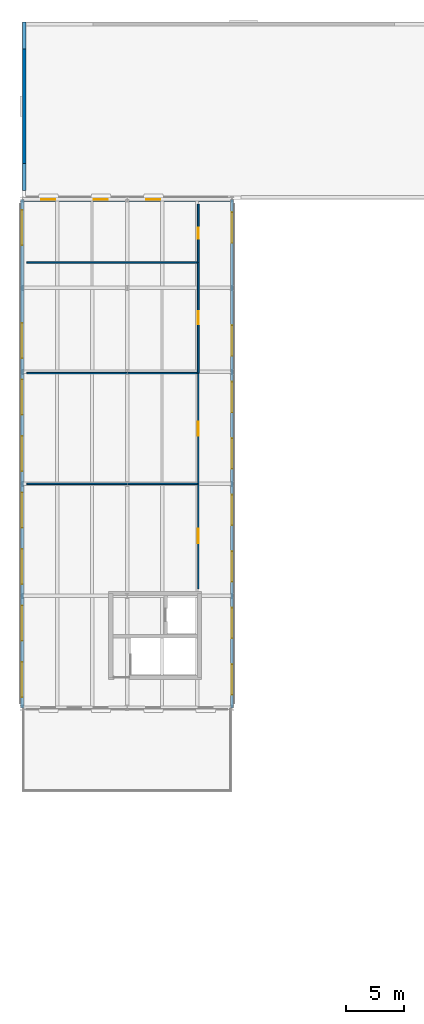
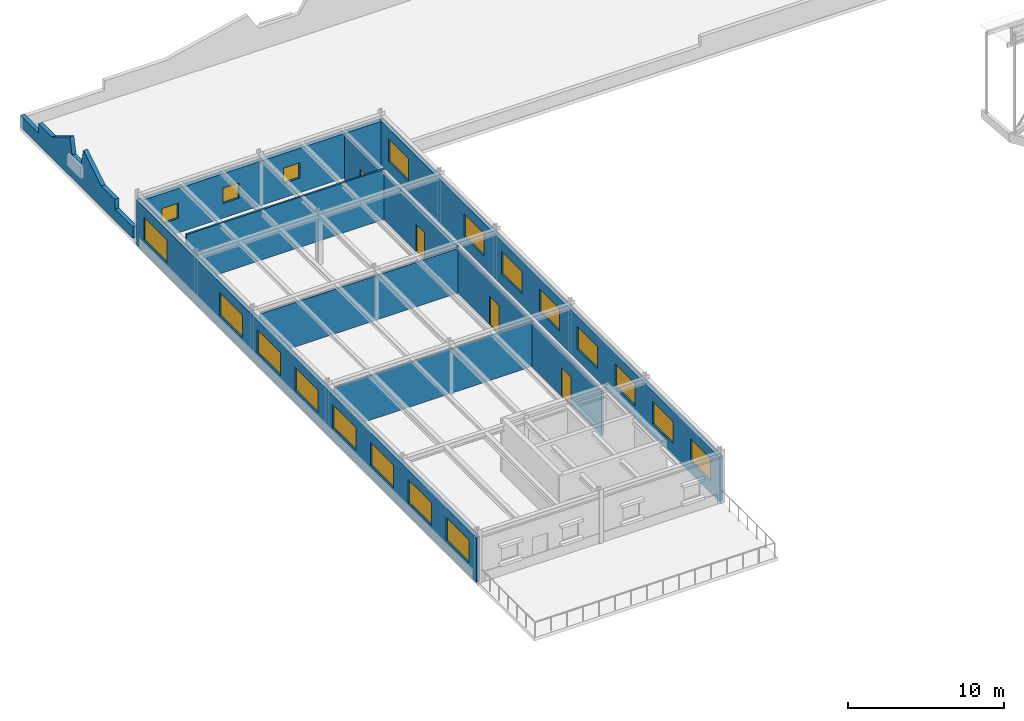
# One storey, part 55 of 69: 19 windows, 11 walls, 4 doors, 23 openings.
"""IFC4 building model written with IfcOpenShell, lengths in metres."""

import ifcopenshell
import ifcopenshell.guid

model = None  # the IFC model being written
_history = None  # IfcOwnerHistory: only IFC2X3 demands one
_inside = {}  # id of a spatial element -> (the spatial element, [elements in it])
_under = {}  # id of a project, library or spatial element -> (it, [spatial elements below it])
_declared = {}  # id of a project -> (the project, [libraries it declares])
_typed = {}  # id of a type object -> (the type object, [elements of that type])
_made_of = {}  # id of a material, layer set ... -> (it, [elements and type objects made of it])


def new_model(schema):
    """Start an empty IFC model of exactly this schema.

    Asked for "IFC4X3", IfcOpenShell would pick the latest addendum, in which some entities
    have other attributes; the version numbers below select the first issue.
    IFC2X3 requires an IfcOwnerHistory on every rooted entity: one is made here for all.
    """
    global model, _history
    if schema == "IFC4X3":
        model = ifcopenshell.file(schema_version=(4, 3, 0, 0))
    else:
        model = ifcopenshell.file(schema=schema)
    _inside.clear()
    _under.clear()
    _declared.clear()
    _typed.clear()
    _made_of.clear()
    _history = None
    if model.schema == "IFC2X3":
        org = make("IfcOrganization", Name="unknown")
        user = make(
            "IfcPersonAndOrganization",
            ThePerson=make("IfcPerson", FamilyName="unknown"),
            TheOrganization=org,
        )
        app = make(
            "IfcApplication",
            ApplicationDeveloper=org,
            Version="unknown",
            ApplicationFullName="unknown",
            ApplicationIdentifier="unknown",
        )
        _history = make(
            "IfcOwnerHistory",
            OwningUser=user,
            OwningApplication=app,
            ChangeAction="ADDED",
            CreationDate=0,
        )
    return model


def make(cls, **values):
    """One entity of the class cls with the attributes given. An attribute that is None is left unset."""
    return model.create_entity(
        cls, **{name: value for name, value in values.items() if value is not None}
    )


def rooted(cls, **values):
    """An entity with a GlobalId (a new one), such as an element, a storey or a relation."""
    return make(cls, GlobalId=ifcopenshell.guid.new(), OwnerHistory=_history, **values)


def si_unit(unit_type, name, prefix=None):
    """IfcSIUnit, for example si_unit("LENGTHUNIT", "METRE", prefix="MILLI")."""
    return make("IfcSIUnit", UnitType=unit_type, Prefix=prefix, Name=name)


def assignment(units):
    """IfcUnitAssignment: the units of a project."""
    return None if units is None else make("IfcUnitAssignment", Units=units)


def point(xyz):
    """IfcCartesianPoint."""
    return None if xyz is None else make("IfcCartesianPoint", Coordinates=xyz)


def direction(xyz):
    """IfcDirection."""
    return None if xyz is None else make("IfcDirection", DirectionRatios=xyz)


def frame(location, z_axis=None, x_axis=None):
    """IfcAxis2Placement3D, a coordinate frame: its origin and axes. An axis left out is left unset."""
    return make(
        "IfcAxis2Placement3D",
        Location=point(location),
        Axis=direction(z_axis),
        RefDirection=direction(x_axis),
    )


def frame_2d(location, x_axis=None):
    """IfcAxis2Placement2D, a coordinate frame in the plane: its origin and x axis."""
    return make(
        "IfcAxis2Placement2D", Location=point(location), RefDirection=direction(x_axis)
    )


def origin():
    """The frame at (0, 0, 0) with its axes left unset."""
    return frame((0.0, 0.0, 0.0))


def place(relative_to, where):
    """IfcLocalPlacement: puts the frame where relative to a parent placement (None: the world)."""
    return make(
        "IfcLocalPlacement", PlacementRelTo=relative_to, RelativePlacement=where
    )


def context(
    kind, dimensions, precision=None, world=None, true_north=None, identifier=None
):
    """IfcGeometricRepresentationContext, for example the 3D "Model" context."""
    return make(
        "IfcGeometricRepresentationContext",
        ContextIdentifier=identifier,
        ContextType=kind,
        CoordinateSpaceDimension=dimensions,
        Precision=precision,
        WorldCoordinateSystem=world,
        TrueNorth=true_north,
    )


def subcontext(parent, identifier, kind, view, scale=None):
    """IfcGeometricRepresentationSubContext, for example "Body" below "Model"."""
    return make(
        "IfcGeometricRepresentationSubContext",
        ContextIdentifier=identifier,
        ContextType=kind,
        ParentContext=parent,
        TargetScale=scale,
        TargetView=view,
    )


def project(units=None, contexts=None):
    """IfcProject with its units and contexts."""
    return rooted(
        "IfcProject",
        Name="project",
        RepresentationContexts=contexts,
        UnitsInContext=assignment(units),
    )


def spatial(cls, under=None, at=None, **own):
    """A site, building, storey or space (cls), placed at a placement, below another one or the project."""
    s = rooted(cls, ObjectPlacement=at, **own)
    if under is not None:
        _under.setdefault(under.id(), (under, []))[1].append(s)
    return s


def polyline(points):
    """IfcPolyline through the points."""
    return make("IfcPolyline", Points=[point(p) for p in points])


def profile(cls, at=None, kind="AREA", **sizes):
    """A parametric profile (cls). Its sizes go by their IFC names, for example OverallWidth=200.0."""
    return make(cls, ProfileType=kind, Position=at, **sizes)


def rectangle(**sizes):
    """IfcRectangleProfileDef."""
    return profile("IfcRectangleProfileDef", **sizes)


def outline(outer, holes=None, kind="AREA"):
    """IfcArbitraryClosedProfileDef: a profile drawn as a closed curve; with holes, ...WithVoids."""
    if holes is None:
        return make("IfcArbitraryClosedProfileDef", ProfileType=kind, OuterCurve=outer)
    return make(
        "IfcArbitraryProfileDefWithVoids",
        ProfileType=kind,
        OuterCurve=outer,
        InnerCurves=holes,
    )


def extrude(swept, where, along, depth):
    """IfcExtrudedAreaSolid: the profile swept, set in the frame where, extruded along a direction by depth."""
    return make(
        "IfcExtrudedAreaSolid",
        SweptArea=swept,
        Position=where,
        ExtrudedDirection=direction(along),
        Depth=depth,
    )


def shape(context_of_items, identifier, shape_type, items):
    """IfcShapeRepresentation: the items that make up one representation, for example the "Body"."""
    return make(
        "IfcShapeRepresentation",
        ContextOfItems=context_of_items,
        RepresentationIdentifier=identifier,
        RepresentationType=shape_type,
        Items=items,
    )


def material(Name=None, Category=None):
    """IfcMaterial."""
    return make("IfcMaterial", Name=Name, Category=Category)


def layer(
    of_material, thickness, ventilated=None, Name=None, Category=None, Priority=None
):
    """IfcMaterialLayer: one layer of a wall or slab, of a material (None: an air gap)."""
    return make(
        "IfcMaterialLayer",
        Material=of_material,
        LayerThickness=thickness,
        IsVentilated=ventilated,
        Name=Name,
        Category=Category,
        Priority=Priority,
    )


def layer_set(layers, Name=None):
    """IfcMaterialLayerSet."""
    return make("IfcMaterialLayerSet", MaterialLayers=layers, LayerSetName=Name)


def made_of(thing, what):
    """Note that an element or type object is made of a material, layer set ...; save() writes the relation."""
    if what is not None:
        _made_of.setdefault(what.id(), (what, []))[1].append(thing)
    return thing


def type_object(cls, material=None, **own):
    """A type object (cls), such as IfcWallType, which elements share."""
    return made_of(rooted(cls, **own), material)


def element(
    cls,
    number,
    at=None,
    inside=None,
    cuts=None,
    type_object=None,
    material=None,
    context=None,
    identifier="Body",
    shape_type=None,
    held_by="IfcProductDefinitionShape",
    body=None,
    shapes=None,
    **own,
):
    """One element of the class cls, such as IfcWall. Its Tag is "e" and its number.

    at: its placement. inside: the storey or other place that contains it. cuts: it is an
    opening in that element (IfcRelVoidsElement). A single representation is given by context,
    identifier, shape_type and body (its items); several are given by shapes. held_by: the class
    of the entity that holds the representations. save() writes the other relations.
    """
    e = rooted(cls, Tag="e%d" % number, ObjectPlacement=at, **own)
    if body is not None:
        shapes = [shape(context, identifier, shape_type, body)]
    if shapes is not None:
        e.Representation = make(held_by, Representations=shapes)
    if inside is not None:
        _inside.setdefault(inside.id(), (inside, []))[1].append(e)
    if cuts is not None:
        rooted(
            "IfcRelVoidsElement", RelatingBuildingElement=cuts, RelatedOpeningElement=e
        )
    if type_object is not None:
        _typed.setdefault(type_object.id(), (type_object, []))[1].append(e)
    return made_of(e, material)


def fill(opening, filler):
    """IfcRelFillsElement: the door or window that sits in an opening."""
    return rooted(
        "IfcRelFillsElement",
        RelatingOpeningElement=opening,
        RelatedBuildingElement=filler,
    )


def aggregate(whole, parts):
    """IfcRelAggregates: a whole, such as a stair, and the parts it consists of."""
    return rooted("IfcRelAggregates", RelatingObject=whole, RelatedObjects=parts)


def save(model, path):
    """Write the relations noted so far, then the file.

    IfcRelAggregates (storeys below a building ...), IfcRelContainedInSpatialStructure (elements
    in a storey), IfcRelDefinesByType, IfcRelAssociatesMaterial and IfcRelDeclares: one each for
    every whole, place, type object, material and project.
    """
    for whole, parts in _under.values():
        aggregate(whole, parts)
    for where, things in _inside.values():
        rooted(
            "IfcRelContainedInSpatialStructure",
            RelatedElements=things,
            RelatingStructure=where,
        )
    for kind, things in _typed.values():
        rooted("IfcRelDefinesByType", RelatedObjects=things, RelatingType=kind)
    for what, things in _made_of.values():
        rooted("IfcRelAssociatesMaterial", RelatedObjects=things, RelatingMaterial=what)
    for by, libraries in _declared.values():
        rooted("IfcRelDeclares", RelatingContext=by, RelatedDefinitions=libraries)
    model.write(path)


model = new_model("IFC4")

# Units and contexts
model_context = context("Model", 3, precision=1e-05, world=origin(), true_north=direction((0.0, 1.0)))
body_context = subcontext(model_context, "Body", "Model", "MODEL_VIEW")
ifc_project = project(units=[si_unit("LENGTHUNIT", "METRE"), si_unit("AREAUNIT", "SQUARE_METRE"), si_unit("VOLUMEUNIT", "CUBIC_METRE"), si_unit("PLANEANGLEUNIT", "RADIAN"), si_unit("MASSUNIT", "GRAM", prefix="KILO")], contexts=[model_context])

# Site, building, storey
site_placement = place(None, origin())
site = spatial("IfcSite", under=ifc_project, at=site_placement, CompositionType="ELEMENT")
building_placement = place(site_placement, origin())
building = spatial("IfcBuilding", under=site, at=building_placement, Name="Montealbar Specialist Clinic", CompositionType="ELEMENT")
storey_placement = place(building_placement, frame((0.0, 0.0, 9.60009765625)))
storey = spatial("IfcBuildingStorey", under=building, at=storey_placement, Name="L02", CompositionType="ELEMENT", Elevation=9.60009765625)

# Wall, openings, windows
ifc_material_1 = material(Name="Guadarrama granite ashlar", Category="masonry")
ifc_layer_1 = layer(ifc_material_1, 0.35009765625, Name="Guadarrama granite ashlar", Category="masonry")
ifc_layer_set_1 = layer_set([ifc_layer_1], Name="Guadarrama granite ashlar")
wall_type_1 = type_object("IfcWallType", Name="WL-EXT-GRANITE-350", PredefinedType="SOLIDWALL", material=ifc_layer_set_1)
wall_1_placement = place(storey_placement, frame((0.0, 95.800048828125, 0.0), z_axis=(0.0, 0.0, 1.0), x_axis=(1.0, 0.0, 0.0)))
wall_1 = element("IfcWall", 1, at=wall_1_placement, inside=storey, type_object=wall_type_1, Name="Exterior Facade Wall EW-L02-059", PredefinedType="SOLIDWALL", context=body_context, shape_type="SweptSolid", body=[
    extrude(rectangle(XDim=18.0, YDim=0.35009765625, at=frame_2d((9.0, 0.0))), origin(), (0.0, 0.0, 1.0), 3.47998046875),
])
opening_1_placement = place(wall_1_placement, frame((1.64990234375, 0.0, 1.139892578125)))
opening_1 = element("IfcOpeningElement", 2, at=opening_1_placement, cuts=wall_1, Name="Opening WN-18", PredefinedType="OPENING", context=body_context, shape_type="SweptSolid", body=[
    extrude(rectangle(XDim=1.199951171875, YDim=1.199951171875, at=frame_2d((0.60009765625, 0.60009765625))), frame((0.0, 0.18505859375, 0.0), z_axis=(0.0, -1.0, 0.0), x_axis=(1.0, 0.0, 0.0)), (0.0, 0.0, 1.0), 0.3701171875),
])
opening_2_placement = place(wall_1_placement, frame((6.14990234375, 0.0, 1.139892578125)))
opening_2 = element("IfcOpeningElement", 3, at=opening_2_placement, cuts=wall_1, Name="Opening WN-18", PredefinedType="OPENING", context=body_context, shape_type="SweptSolid", body=[
    extrude(rectangle(XDim=1.199951171875, YDim=1.199951171875, at=frame_2d((0.60009765625, 0.60009765625))), frame((0.0, 0.18505859375, 0.0), z_axis=(0.0, -1.0, 0.0), x_axis=(1.0, 0.0, 0.0)), (0.0, 0.0, 1.0), 0.3701171875),
])
opening_3_placement = place(wall_1_placement, frame((10.64990234375, 0.0, 1.139892578125)))
opening_3 = element("IfcOpeningElement", 4, at=opening_3_placement, cuts=wall_1, Name="Opening WN-18", PredefinedType="OPENING", context=body_context, shape_type="SweptSolid", body=[
    extrude(rectangle(XDim=1.199951171875, YDim=1.199951171875, at=frame_2d((0.60009765625, 0.60009765625))), frame((0.0, 0.18505859375, 0.0), z_axis=(0.0, -1.0, 0.0), x_axis=(1.0, 0.0, 0.0)), (0.0, 0.0, 1.0), 0.3701171875),
])
ifc_material_2 = material(Name="Low-E double glazing", Category="glass")
window_type_1 = type_object("IfcWindowType", Name="WIN-WN-18", PartitioningType="SINGLE_PANEL", PredefinedType="WINDOW", material=ifc_material_2)
window_1_placement = place(opening_1_placement, origin())
window_1 = element("IfcWindow", 5, at=window_1_placement, inside=storey, type_object=window_type_1, Name="Clinical Facade Postmodern Oculus Window WN-18 L02-0221", OverallHeight=1.199951171875, OverallWidth=1.199951171875, PartitioningType="SINGLE_PANEL", PredefinedType="WINDOW", context=body_context, shape_type="SweptSolid", body=[
    extrude(rectangle(XDim=1.199951171875, YDim=1.199951171875, at=frame_2d((0.60009765625, 0.60009765625))), frame((0.0, 0.030029296875, 0.0), z_axis=(0.0, -1.0, 0.0), x_axis=(1.0, 0.0, 0.0)), (0.0, 0.0, 1.0), 0.06005859375),
])
fill(opening_1, window_1)
window_2_placement = place(opening_2_placement, origin())
window_2 = element("IfcWindow", 6, at=window_2_placement, inside=storey, type_object=window_type_1, Name="Clinical Facade Postmodern Oculus Window WN-18 L02-0222", OverallHeight=1.199951171875, OverallWidth=1.199951171875, PartitioningType="SINGLE_PANEL", PredefinedType="WINDOW", context=body_context, shape_type="SweptSolid", body=[
    extrude(rectangle(XDim=1.199951171875, YDim=1.199951171875, at=frame_2d((0.60009765625, 0.60009765625))), frame((0.0, 0.030029296875, 0.0), z_axis=(0.0, -1.0, 0.0), x_axis=(1.0, 0.0, 0.0)), (0.0, 0.0, 1.0), 0.06005859375),
])
fill(opening_2, window_2)
window_3_placement = place(opening_3_placement, origin())
window_3 = element("IfcWindow", 7, at=window_3_placement, inside=storey, type_object=window_type_1, Name="Clinical Facade Postmodern Oculus Window WN-18 L02-0223", OverallHeight=1.199951171875, OverallWidth=1.199951171875, PartitioningType="SINGLE_PANEL", PredefinedType="WINDOW", context=body_context, shape_type="SweptSolid", body=[
    extrude(rectangle(XDim=1.199951171875, YDim=1.199951171875, at=frame_2d((0.60009765625, 0.60009765625))), frame((0.0, 0.030029296875, 0.0), z_axis=(0.0, -1.0, 0.0), x_axis=(1.0, 0.0, 0.0)), (0.0, 0.0, 1.0), 0.06005859375),
])
fill(opening_3, window_3)

ifc_material_3 = material(Name="Precast concrete C40/50", Category="concrete")
ifc_layer_2 = layer(ifc_material_3, 0.280029296875, Name="Precast concrete C40/50", Category="concrete")
ifc_layer_set_2 = layer_set([ifc_layer_2], Name="Precast concrete C40/50")
wall_type_2 = type_object("IfcWallType", Name="WL-EXT-PRECAST-280", PredefinedType="SOLIDWALL", material=ifc_layer_set_2)
wall_2_placement = place(storey_placement, frame((18.0, 95.800048828125, 0.0), z_axis=(0.0, 0.0, 1.0), x_axis=(0.0, -1.0, 0.0)))
wall_2 = element("IfcWall", 8, at=wall_2_placement, inside=storey, type_object=wall_type_2, Name="Exterior Facade Wall EW-L02-056", PredefinedType="SOLIDWALL", context=body_context, shape_type="SweptSolid", body=[
    extrude(rectangle(XDim=43.60009765625, YDim=0.280029296875, at=frame_2d((21.800048828125, 0.0))), origin(), (0.0, 0.0, 1.0), 3.52978515625),
])
opening_4_placement = place(wall_2_placement, frame((1.1220703125, 0.0, 0.949951171875)))
opening_4 = element("IfcOpeningElement", 9, at=opening_4_placement, cuts=wall_2, Name="Opening WN-10", PredefinedType="OPENING", context=body_context, shape_type="SweptSolid", body=[
    extrude(rectangle(XDim=2.60009765625, YDim=1.75, at=frame_2d((1.300048828125, 0.875))), frame((0.0, 0.14990234375, 0.0), z_axis=(0.0, -1.0, 0.0), x_axis=(1.0, 0.0, 0.0)), (0.0, 0.0, 1.0), 0.300048828125),
])
opening_5_placement = place(wall_2_placement, frame((10.81103515625, 0.0, 0.949951171875)))
opening_5 = element("IfcOpeningElement", 10, at=opening_5_placement, cuts=wall_2, Name="Opening WN-10", PredefinedType="OPENING", context=body_context, shape_type="SweptSolid", body=[
    extrude(rectangle(XDim=2.60009765625, YDim=1.75, at=frame_2d((1.300048828125, 0.875))), frame((0.0, 0.14990234375, 0.0), z_axis=(0.0, -1.0, 0.0), x_axis=(1.0, 0.0, 0.0)), (0.0, 0.0, 1.0), 0.300048828125),
])
opening_6_placement = place(wall_2_placement, frame((15.656005859375, 0.0, 0.949951171875)))
opening_6 = element("IfcOpeningElement", 11, at=opening_6_placement, cuts=wall_2, Name="Opening WN-10", PredefinedType="OPENING", context=body_context, shape_type="SweptSolid", body=[
    extrude(rectangle(XDim=2.60009765625, YDim=1.75, at=frame_2d((1.300048828125, 0.875))), frame((0.0, 0.14990234375, 0.0), z_axis=(0.0, -1.0, 0.0), x_axis=(1.0, 0.0, 0.0)), (0.0, 0.0, 1.0), 0.300048828125),
])
opening_7_placement = place(wall_2_placement, frame((20.5, 0.0, 0.949951171875)))
opening_7 = element("IfcOpeningElement", 12, at=opening_7_placement, cuts=wall_2, Name="Opening WN-10", PredefinedType="OPENING", context=body_context, shape_type="SweptSolid", body=[
    extrude(rectangle(XDim=2.60009765625, YDim=1.75, at=frame_2d((1.300048828125, 0.875))), frame((0.0, 0.14990234375, 0.0), z_axis=(0.0, -1.0, 0.0), x_axis=(1.0, 0.0, 0.0)), (0.0, 0.0, 1.0), 0.300048828125),
])
opening_8_placement = place(wall_2_placement, frame((25.343994140625, 0.0, 0.949951171875)))
opening_8 = element("IfcOpeningElement", 13, at=opening_8_placement, cuts=wall_2, Name="Opening WN-10", PredefinedType="OPENING", context=body_context, shape_type="SweptSolid", body=[
    extrude(rectangle(XDim=2.60009765625, YDim=1.75, at=frame_2d((1.300048828125, 0.875))), frame((0.0, 0.14990234375, 0.0), z_axis=(0.0, -1.0, 0.0), x_axis=(1.0, 0.0, 0.0)), (0.0, 0.0, 1.0), 0.300048828125),
])
opening_9_placement = place(wall_2_placement, frame((30.18896484375, 0.0, 0.949951171875)))
opening_9 = element("IfcOpeningElement", 14, at=opening_9_placement, cuts=wall_2, Name="Opening WN-10", PredefinedType="OPENING", context=body_context, shape_type="SweptSolid", body=[
    extrude(rectangle(XDim=2.60009765625, YDim=1.75, at=frame_2d((1.300048828125, 0.875))), frame((0.0, 0.14990234375, 0.0), z_axis=(0.0, -1.0, 0.0), x_axis=(1.0, 0.0, 0.0)), (0.0, 0.0, 1.0), 0.300048828125),
])
opening_10_placement = place(wall_2_placement, frame((35.032958984375, 0.0, 0.949951171875)))
opening_10 = element("IfcOpeningElement", 15, at=opening_10_placement, cuts=wall_2, Name="Opening WN-10", PredefinedType="OPENING", context=body_context, shape_type="SweptSolid", body=[
    extrude(rectangle(XDim=2.60009765625, YDim=1.75, at=frame_2d((1.300048828125, 0.875))), frame((0.0, 0.14990234375, 0.0), z_axis=(0.0, -1.0, 0.0), x_axis=(1.0, 0.0, 0.0)), (0.0, 0.0, 1.0), 0.300048828125),
])
opening_11_placement = place(wall_2_placement, frame((39.8779296875, 0.0, 0.949951171875)))
opening_11 = element("IfcOpeningElement", 16, at=opening_11_placement, cuts=wall_2, Name="Opening WN-10", PredefinedType="OPENING", context=body_context, shape_type="SweptSolid", body=[
    extrude(rectangle(XDim=2.60009765625, YDim=1.75, at=frame_2d((1.300048828125, 0.875))), frame((0.0, 0.14990234375, 0.0), z_axis=(0.0, -1.0, 0.0), x_axis=(1.0, 0.0, 0.0)), (0.0, 0.0, 1.0), 0.300048828125),
])
window_type_2 = type_object("IfcWindowType", Name="WIN-WN-10", PartitioningType="SINGLE_PANEL", PredefinedType="WINDOW", material=ifc_material_2)
window_4_placement = place(opening_4_placement, origin())
window_4 = element("IfcWindow", 17, at=window_4_placement, inside=storey, type_object=window_type_2, Name="Clinical Facade Window WN-10 L02-0201", OverallHeight=1.75, OverallWidth=2.60009765625, PartitioningType="SINGLE_PANEL", PredefinedType="WINDOW", context=body_context, shape_type="SweptSolid", body=[
    extrude(rectangle(XDim=2.60009765625, YDim=1.75, at=frame_2d((1.300048828125, 0.875))), frame((0.0, 0.030029296875, 0.0), z_axis=(0.0, -1.0, 0.0), x_axis=(1.0, 0.0, 0.0)), (0.0, 0.0, 1.0), 0.06005859375),
])
fill(opening_4, window_4)
window_5_placement = place(opening_5_placement, origin())
window_5 = element("IfcWindow", 18, at=window_5_placement, inside=storey, type_object=window_type_2, Name="Clinical Facade Window WN-10 L02-0202", OverallHeight=1.75, OverallWidth=2.60009765625, PartitioningType="SINGLE_PANEL", PredefinedType="WINDOW", context=body_context, shape_type="SweptSolid", body=[
    extrude(rectangle(XDim=2.60009765625, YDim=1.75, at=frame_2d((1.300048828125, 0.875))), frame((0.0, 0.030029296875, 0.0), z_axis=(0.0, -1.0, 0.0), x_axis=(1.0, 0.0, 0.0)), (0.0, 0.0, 1.0), 0.06005859375),
])
fill(opening_5, window_5)
window_6_placement = place(opening_6_placement, origin())
window_6 = element("IfcWindow", 19, at=window_6_placement, inside=storey, type_object=window_type_2, Name="Clinical Facade Window WN-10 L02-0203", OverallHeight=1.75, OverallWidth=2.60009765625, PartitioningType="SINGLE_PANEL", PredefinedType="WINDOW", context=body_context, shape_type="SweptSolid", body=[
    extrude(rectangle(XDim=2.60009765625, YDim=1.75, at=frame_2d((1.300048828125, 0.875))), frame((0.0, 0.030029296875, 0.0), z_axis=(0.0, -1.0, 0.0), x_axis=(1.0, 0.0, 0.0)), (0.0, 0.0, 1.0), 0.06005859375),
])
fill(opening_6, window_6)
window_7_placement = place(opening_7_placement, origin())
window_7 = element("IfcWindow", 20, at=window_7_placement, inside=storey, type_object=window_type_2, Name="Clinical Facade Window WN-10 L02-0204", OverallHeight=1.75, OverallWidth=2.60009765625, PartitioningType="SINGLE_PANEL", PredefinedType="WINDOW", context=body_context, shape_type="SweptSolid", body=[
    extrude(rectangle(XDim=2.60009765625, YDim=1.75, at=frame_2d((1.300048828125, 0.875))), frame((0.0, 0.030029296875, 0.0), z_axis=(0.0, -1.0, 0.0), x_axis=(1.0, 0.0, 0.0)), (0.0, 0.0, 1.0), 0.06005859375),
])
fill(opening_7, window_7)
window_8_placement = place(opening_8_placement, origin())
window_8 = element("IfcWindow", 21, at=window_8_placement, inside=storey, type_object=window_type_2, Name="Clinical Facade Window WN-10 L02-0205", OverallHeight=1.75, OverallWidth=2.60009765625, PartitioningType="SINGLE_PANEL", PredefinedType="WINDOW", context=body_context, shape_type="SweptSolid", body=[
    extrude(rectangle(XDim=2.60009765625, YDim=1.75, at=frame_2d((1.300048828125, 0.875))), frame((0.0, 0.030029296875, 0.0), z_axis=(0.0, -1.0, 0.0), x_axis=(1.0, 0.0, 0.0)), (0.0, 0.0, 1.0), 0.06005859375),
])
fill(opening_8, window_8)
window_9_placement = place(opening_9_placement, origin())
window_9 = element("IfcWindow", 22, at=window_9_placement, inside=storey, type_object=window_type_2, Name="Clinical Facade Window WN-10 L02-0206", OverallHeight=1.75, OverallWidth=2.60009765625, PartitioningType="SINGLE_PANEL", PredefinedType="WINDOW", context=body_context, shape_type="SweptSolid", body=[
    extrude(rectangle(XDim=2.60009765625, YDim=1.75, at=frame_2d((1.300048828125, 0.875))), frame((0.0, 0.030029296875, 0.0), z_axis=(0.0, -1.0, 0.0), x_axis=(1.0, 0.0, 0.0)), (0.0, 0.0, 1.0), 0.06005859375),
])
fill(opening_9, window_9)
window_10_placement = place(opening_10_placement, origin())
window_10 = element("IfcWindow", 23, at=window_10_placement, inside=storey, type_object=window_type_2, Name="Clinical Facade Window WN-10 L02-0207", OverallHeight=1.75, OverallWidth=2.60009765625, PartitioningType="SINGLE_PANEL", PredefinedType="WINDOW", context=body_context, shape_type="SweptSolid", body=[
    extrude(rectangle(XDim=2.60009765625, YDim=1.75, at=frame_2d((1.300048828125, 0.875))), frame((0.0, 0.030029296875, 0.0), z_axis=(0.0, -1.0, 0.0), x_axis=(1.0, 0.0, 0.0)), (0.0, 0.0, 1.0), 0.06005859375),
])
fill(opening_10, window_10)
window_11_placement = place(opening_11_placement, origin())
window_11 = element("IfcWindow", 24, at=window_11_placement, inside=storey, type_object=window_type_2, Name="Clinical Facade Window WN-10 L02-0208", OverallHeight=1.75, OverallWidth=2.60009765625, PartitioningType="SINGLE_PANEL", PredefinedType="WINDOW", context=body_context, shape_type="SweptSolid", body=[
    extrude(rectangle(XDim=2.60009765625, YDim=1.75, at=frame_2d((1.300048828125, 0.875))), frame((0.0, 0.030029296875, 0.0), z_axis=(0.0, -1.0, 0.0), x_axis=(1.0, 0.0, 0.0)), (0.0, 0.0, 1.0), 0.06005859375),
])
fill(opening_11, window_11)

wall_3_placement = place(storey_placement, frame((0.0, 52.199951171875, 0.0), z_axis=(0.0, 0.0, 1.0), x_axis=(0.0, 1.0, 0.0)))
wall_3 = element("IfcWall", 25, at=wall_3_placement, inside=storey, type_object=wall_type_2, Name="Exterior Facade Wall EW-L02-058", PredefinedType="SOLIDWALL", context=body_context, shape_type="SweptSolid", body=[
    extrude(rectangle(XDim=43.60009765625, YDim=0.280029296875, at=frame_2d((21.800048828125, 0.0))), origin(), (0.0, 0.0, 1.0), 3.52978515625),
])
opening_12_placement = place(wall_3_placement, frame((0.922119140625, 0.0, 0.949951171875)))
opening_12 = element("IfcOpeningElement", 26, at=opening_12_placement, cuts=wall_3, Name="Opening WN-12", PredefinedType="OPENING", context=body_context, shape_type="SweptSolid", body=[
    extrude(rectangle(XDim=3.0, YDim=1.800048828125, at=frame_2d((1.5, 0.89990234375))), frame((0.0, 0.14990234375, 0.0), z_axis=(0.0, -1.0, 0.0), x_axis=(1.0, 0.0, 0.0)), (0.0, 0.0, 1.0), 0.300048828125),
])
opening_13_placement = place(wall_3_placement, frame((5.76708984375, 0.0, 0.949951171875)))
opening_13 = element("IfcOpeningElement", 27, at=opening_13_placement, cuts=wall_3, Name="Opening WN-12", PredefinedType="OPENING", context=body_context, shape_type="SweptSolid", body=[
    extrude(rectangle(XDim=3.0, YDim=1.800048828125, at=frame_2d((1.5, 0.89990234375))), frame((0.0, 0.14990234375, 0.0), z_axis=(0.0, -1.0, 0.0), x_axis=(1.0, 0.0, 0.0)), (0.0, 0.0, 1.0), 0.300048828125),
])
opening_14_placement = place(wall_3_placement, frame((10.611083984375, 0.0, 0.949951171875)))
opening_14 = element("IfcOpeningElement", 28, at=opening_14_placement, cuts=wall_3, Name="Opening WN-12", PredefinedType="OPENING", context=body_context, shape_type="SweptSolid", body=[
    extrude(rectangle(XDim=3.0, YDim=1.800048828125, at=frame_2d((1.5, 0.89990234375))), frame((0.0, 0.14990234375, 0.0), z_axis=(0.0, -1.0, 0.0), x_axis=(1.0, 0.0, 0.0)), (0.0, 0.0, 1.0), 0.300048828125),
])
opening_15_placement = place(wall_3_placement, frame((15.4560546875, 0.0, 0.949951171875)))
opening_15 = element("IfcOpeningElement", 29, at=opening_15_placement, cuts=wall_3, Name="Opening WN-12", PredefinedType="OPENING", context=body_context, shape_type="SweptSolid", body=[
    extrude(rectangle(XDim=3.0, YDim=1.800048828125, at=frame_2d((1.5, 0.89990234375))), frame((0.0, 0.14990234375, 0.0), z_axis=(0.0, -1.0, 0.0), x_axis=(1.0, 0.0, 0.0)), (0.0, 0.0, 1.0), 0.300048828125),
])
opening_16_placement = place(wall_3_placement, frame((20.300048828125, 0.0, 0.949951171875)))
opening_16 = element("IfcOpeningElement", 30, at=opening_16_placement, cuts=wall_3, Name="Opening WN-12", PredefinedType="OPENING", context=body_context, shape_type="SweptSolid", body=[
    extrude(rectangle(XDim=3.0, YDim=1.800048828125, at=frame_2d((1.5, 0.89990234375))), frame((0.0, 0.14990234375, 0.0), z_axis=(0.0, -1.0, 0.0), x_axis=(1.0, 0.0, 0.0)), (0.0, 0.0, 1.0), 0.300048828125),
])
opening_17_placement = place(wall_3_placement, frame((25.14404296875, 0.0, 0.949951171875)))
opening_17 = element("IfcOpeningElement", 31, at=opening_17_placement, cuts=wall_3, Name="Opening WN-12", PredefinedType="OPENING", context=body_context, shape_type="SweptSolid", body=[
    extrude(rectangle(XDim=3.0, YDim=1.800048828125, at=frame_2d((1.5, 0.89990234375))), frame((0.0, 0.14990234375, 0.0), z_axis=(0.0, -1.0, 0.0), x_axis=(1.0, 0.0, 0.0)), (0.0, 0.0, 1.0), 0.300048828125),
])
opening_18_placement = place(wall_3_placement, frame((29.989013671875, 0.0, 0.949951171875)))
opening_18 = element("IfcOpeningElement", 32, at=opening_18_placement, cuts=wall_3, Name="Opening WN-12", PredefinedType="OPENING", context=body_context, shape_type="SweptSolid", body=[
    extrude(rectangle(XDim=3.0, YDim=1.800048828125, at=frame_2d((1.5, 0.89990234375))), frame((0.0, 0.14990234375, 0.0), z_axis=(0.0, -1.0, 0.0), x_axis=(1.0, 0.0, 0.0)), (0.0, 0.0, 1.0), 0.300048828125),
])
opening_19_placement = place(wall_3_placement, frame((39.677978515625, 0.0, 0.949951171875)))
opening_19 = element("IfcOpeningElement", 33, at=opening_19_placement, cuts=wall_3, Name="Opening WN-12", PredefinedType="OPENING", context=body_context, shape_type="SweptSolid", body=[
    extrude(rectangle(XDim=3.0, YDim=1.800048828125, at=frame_2d((1.5, 0.89990234375))), frame((0.0, 0.14990234375, 0.0), z_axis=(0.0, -1.0, 0.0), x_axis=(1.0, 0.0, 0.0)), (0.0, 0.0, 1.0), 0.300048828125),
])
window_type_3 = type_object("IfcWindowType", Name="WIN-WN-12", PartitioningType="SINGLE_PANEL", PredefinedType="WINDOW", material=ifc_material_2)
window_12_placement = place(opening_12_placement, origin())
window_12 = element("IfcWindow", 34, at=window_12_placement, inside=storey, type_object=window_type_3, Name="Clinical Facade Window WN-12 L02-0213", OverallHeight=1.800048828125, OverallWidth=3.0, PartitioningType="SINGLE_PANEL", PredefinedType="WINDOW", context=body_context, shape_type="SweptSolid", body=[
    extrude(rectangle(XDim=3.0, YDim=1.800048828125, at=frame_2d((1.5, 0.89990234375))), frame((0.0, 0.030029296875, 0.0), z_axis=(0.0, -1.0, 0.0), x_axis=(1.0, 0.0, 0.0)), (0.0, 0.0, 1.0), 0.06005859375),
])
fill(opening_12, window_12)
window_13_placement = place(opening_13_placement, origin())
window_13 = element("IfcWindow", 35, at=window_13_placement, inside=storey, type_object=window_type_3, Name="Clinical Facade Window WN-12 L02-0214", OverallHeight=1.800048828125, OverallWidth=3.0, PartitioningType="SINGLE_PANEL", PredefinedType="WINDOW", context=body_context, shape_type="SweptSolid", body=[
    extrude(rectangle(XDim=3.0, YDim=1.800048828125, at=frame_2d((1.5, 0.89990234375))), frame((0.0, 0.030029296875, 0.0), z_axis=(0.0, -1.0, 0.0), x_axis=(1.0, 0.0, 0.0)), (0.0, 0.0, 1.0), 0.06005859375),
])
fill(opening_13, window_13)
window_14_placement = place(opening_14_placement, origin())
window_14 = element("IfcWindow", 36, at=window_14_placement, inside=storey, type_object=window_type_3, Name="Clinical Facade Window WN-12 L02-0215", OverallHeight=1.800048828125, OverallWidth=3.0, PartitioningType="SINGLE_PANEL", PredefinedType="WINDOW", context=body_context, shape_type="SweptSolid", body=[
    extrude(rectangle(XDim=3.0, YDim=1.800048828125, at=frame_2d((1.5, 0.89990234375))), frame((0.0, 0.030029296875, 0.0), z_axis=(0.0, -1.0, 0.0), x_axis=(1.0, 0.0, 0.0)), (0.0, 0.0, 1.0), 0.06005859375),
])
fill(opening_14, window_14)
window_15_placement = place(opening_15_placement, origin())
window_15 = element("IfcWindow", 37, at=window_15_placement, inside=storey, type_object=window_type_3, Name="Clinical Facade Window WN-12 L02-0216", OverallHeight=1.800048828125, OverallWidth=3.0, PartitioningType="SINGLE_PANEL", PredefinedType="WINDOW", context=body_context, shape_type="SweptSolid", body=[
    extrude(rectangle(XDim=3.0, YDim=1.800048828125, at=frame_2d((1.5, 0.89990234375))), frame((0.0, 0.030029296875, 0.0), z_axis=(0.0, -1.0, 0.0), x_axis=(1.0, 0.0, 0.0)), (0.0, 0.0, 1.0), 0.06005859375),
])
fill(opening_15, window_15)
window_16_placement = place(opening_16_placement, origin())
window_16 = element("IfcWindow", 38, at=window_16_placement, inside=storey, type_object=window_type_3, Name="Clinical Facade Window WN-12 L02-0217", OverallHeight=1.800048828125, OverallWidth=3.0, PartitioningType="SINGLE_PANEL", PredefinedType="WINDOW", context=body_context, shape_type="SweptSolid", body=[
    extrude(rectangle(XDim=3.0, YDim=1.800048828125, at=frame_2d((1.5, 0.89990234375))), frame((0.0, 0.030029296875, 0.0), z_axis=(0.0, -1.0, 0.0), x_axis=(1.0, 0.0, 0.0)), (0.0, 0.0, 1.0), 0.06005859375),
])
fill(opening_16, window_16)
window_17_placement = place(opening_17_placement, origin())
window_17 = element("IfcWindow", 39, at=window_17_placement, inside=storey, type_object=window_type_3, Name="Clinical Facade Window WN-12 L02-0218", OverallHeight=1.800048828125, OverallWidth=3.0, PartitioningType="SINGLE_PANEL", PredefinedType="WINDOW", context=body_context, shape_type="SweptSolid", body=[
    extrude(rectangle(XDim=3.0, YDim=1.800048828125, at=frame_2d((1.5, 0.89990234375))), frame((0.0, 0.030029296875, 0.0), z_axis=(0.0, -1.0, 0.0), x_axis=(1.0, 0.0, 0.0)), (0.0, 0.0, 1.0), 0.06005859375),
])
fill(opening_17, window_17)
window_18_placement = place(opening_18_placement, origin())
window_18 = element("IfcWindow", 40, at=window_18_placement, inside=storey, type_object=window_type_3, Name="Clinical Facade Window WN-12 L02-0219", OverallHeight=1.800048828125, OverallWidth=3.0, PartitioningType="SINGLE_PANEL", PredefinedType="WINDOW", context=body_context, shape_type="SweptSolid", body=[
    extrude(rectangle(XDim=3.0, YDim=1.800048828125, at=frame_2d((1.5, 0.89990234375))), frame((0.0, 0.030029296875, 0.0), z_axis=(0.0, -1.0, 0.0), x_axis=(1.0, 0.0, 0.0)), (0.0, 0.0, 1.0), 0.06005859375),
])
fill(opening_18, window_18)
window_19_placement = place(opening_19_placement, origin())
window_19 = element("IfcWindow", 41, at=window_19_placement, inside=storey, type_object=window_type_3, Name="Clinical Facade Window WN-12 L02-0220", OverallHeight=1.800048828125, OverallWidth=3.0, PartitioningType="SINGLE_PANEL", PredefinedType="WINDOW", context=body_context, shape_type="SweptSolid", body=[
    extrude(rectangle(XDim=3.0, YDim=1.800048828125, at=frame_2d((1.5, 0.89990234375))), frame((0.0, 0.030029296875, 0.0), z_axis=(0.0, -1.0, 0.0), x_axis=(1.0, 0.0, 0.0)), (0.0, 0.0, 1.0), 0.06005859375),
])
fill(opening_19, window_19)

# Walls
ifc_material_4 = material(Name="Gypsum acoustic partition", Category="gypsum")
ifc_layer_3 = layer(ifc_material_4, 0.139892578125, Name="Gypsum acoustic partition", Category="gypsum")
ifc_layer_set_3 = layer_set([ifc_layer_3], Name="Gypsum acoustic partition")
wall_type_3 = type_object("IfcWallType", Name="WL-PART-ACOUSTIC-140", PredefinedType="PARTITIONING", material=ifc_layer_set_3)
for number, where, z_axis, x_axis, name in (
    (42, (0.39990234375, 71.39990234375, 0.0), (0.0, 0.0, 1.0), (1.0, 0.0, 0.0), "Clinical Partition PART-L02-0129"),
    (43, (0.39990234375, 80.89990234375, 0.0), (0.0, 0.0, 1.0), (1.0, 0.0, 0.0), "Clinical Partition PART-L02-0131"),
):
    element("IfcWall", number, at=place(storey_placement, frame(where, z_axis=z_axis, x_axis=x_axis)), inside=storey, type_object=wall_type_3, Name=name, PredefinedType="PARTITIONING", context=body_context, shape_type="SweptSolid", body=[
        extrude(rectangle(XDim=14.7001953125, YDim=0.139892578125, at=frame_2d((7.35009765625, 0.0))), origin(), (0.0, 0.0, 1.0), 3.47998046875),
    ])
wall_4_placement = place(storey_placement, frame((0.39990234375, 90.39990234375, 0.0), z_axis=(0.0, 0.0, 1.0), x_axis=(1.0, 0.0, 0.0)))
element("IfcWall", 44, at=wall_4_placement, inside=storey, type_object=wall_type_3, Name="Clinical Partition PART-L02-0133", PredefinedType="PARTITIONING", context=body_context, shape_type="SweptSolid", body=[
    extrude(rectangle(XDim=14.7001953125, YDim=0.139892578125, at=frame_2d((7.35009765625, 0.0))), origin(), (0.0, 0.0, 1.0), 3.929931640625),
])

# Wall, opening, door
ifc_layer_4 = layer(ifc_material_4, 0.159912109375, Name="Gypsum acoustic partition", Category="gypsum")
ifc_layer_set_4 = layer_set([ifc_layer_4], Name="Gypsum acoustic partition")
wall_type_4 = type_object("IfcWallType", Name="WL-PART-CLINIC-160", PredefinedType="PARTITIONING", material=ifc_layer_set_4)
wall_5_placement = place(storey_placement, frame((15.10009765625, 62.39990234375, 0.0), z_axis=(0.0, 0.0, 1.0), x_axis=(0.0, 1.0, 0.0)))
wall_5 = element("IfcWall", 45, at=wall_5_placement, inside=storey, type_object=wall_type_4, Name="Clinical Partition PART-L02-0128", PredefinedType="PARTITIONING", context=body_context, shape_type="SweptSolid", body=[
    extrude(rectangle(XDim=9.0, YDim=0.159912109375, at=frame_2d((4.5, 0.0))), origin(), (0.0, 0.0, 1.0), 3.47998046875),
])
opening_20_placement = place(wall_5_placement, frame((3.89990234375, 0.0, 0.0)))
opening_20 = element("IfcOpeningElement", 46, at=opening_20_placement, cuts=wall_5, Name="Opening ID-12L", PredefinedType="OPENING", context=body_context, shape_type="SweptSolid", body=[
    extrude(rectangle(XDim=1.25, YDim=2.199951171875, at=frame_2d((0.625, 1.10009765625))), frame((0.0, 0.08984375, 0.0), z_axis=(0.0, -1.0, 0.0), x_axis=(1.0, 0.0, 0.0)), (0.0, 0.0, 1.0), 0.179931640625),
])
ifc_material_5 = material(Name="Acoustic timber leaf", Category="wood")
door_type_1 = type_object("IfcDoorType", Name="DR-LEAD-W1200", OperationType="NOTDEFINED", PredefinedType="DOOR", material=ifc_material_5)
door_1_placement = place(opening_20_placement, frame((1.25, 0.0, 0.0), z_axis=(0.0, 0.0, 1.0), x_axis=(-1.0, 0.0, 0.0)))
door_1 = element("IfcDoor", 47, at=door_1_placement, inside=storey, type_object=door_type_1, Name="Clinical Room Door IDR-L02-0084", OperationType="SINGLE_SWING_LEFT", OverallHeight=2.199951171875, OverallWidth=1.25, PredefinedType="DOOR", context=body_context, shape_type="SweptSolid", body=[
    extrude(rectangle(XDim=1.25, YDim=2.199951171875, at=frame_2d((0.625, 1.10009765625))), frame((0.0, 0.02490234375, 0.0), z_axis=(0.0, -1.0, 0.0), x_axis=(1.0, 0.0, 0.0)), (0.0, 0.0, 1.0), 0.050048828125),
])
fill(opening_20, door_1)

wall_6_placement = place(storey_placement, frame((15.10009765625, 71.39990234375, 0.0), z_axis=(0.0, 0.0, 1.0), x_axis=(0.0, 1.0, 0.0)))
wall_6 = element("IfcWall", 48, at=wall_6_placement, inside=storey, type_object=wall_type_4, Name="Clinical Partition PART-L02-0130", PredefinedType="PARTITIONING", context=body_context, shape_type="SweptSolid", body=[
    extrude(rectangle(XDim=9.5, YDim=0.159912109375, at=frame_2d((4.75, 0.0))), origin(), (0.0, 0.0, 1.0), 3.52978515625),
])
opening_21_placement = place(wall_6_placement, frame((4.14990234375, 0.0, 0.0)))
opening_21 = element("IfcOpeningElement", 49, at=opening_21_placement, cuts=wall_6, Name="Opening ID-120", PredefinedType="OPENING", context=body_context, shape_type="SweptSolid", body=[
    extrude(rectangle(XDim=1.199951171875, YDim=2.199951171875, at=frame_2d((0.60009765625, 1.10009765625))), frame((0.0, 0.08984375, 0.0), z_axis=(0.0, -1.0, 0.0), x_axis=(1.0, 0.0, 0.0)), (0.0, 0.0, 1.0), 0.179931640625),
])
door_type_2 = type_object("IfcDoorType", Name="DR-CLIN-W1200", OperationType="NOTDEFINED", PredefinedType="DOOR", material=ifc_material_5)
door_2_placement = place(opening_21_placement, frame((1.199951171875, 0.0, 0.0), z_axis=(0.0, 0.0, 1.0), x_axis=(-1.0, 0.0, 0.0)))
door_2 = element("IfcDoor", 50, at=door_2_placement, inside=storey, type_object=door_type_2, Name="Clinical Room Door IDR-L02-0085", OperationType="SINGLE_SWING_RIGHT", OverallHeight=2.199951171875, OverallWidth=1.199951171875, PredefinedType="DOOR", context=body_context, shape_type="SweptSolid", body=[
    extrude(rectangle(XDim=1.199951171875, YDim=2.199951171875, at=frame_2d((0.60009765625, 1.10009765625))), frame((0.0, 0.02490234375, 0.0), z_axis=(0.0, -1.0, 0.0), x_axis=(1.0, 0.0, 0.0)), (0.0, 0.0, 1.0), 0.050048828125),
])
fill(opening_21, door_2)

wall_7_placement = place(storey_placement, frame((15.10009765625, 80.89990234375, 0.0), z_axis=(0.0, 0.0, 1.0), x_axis=(0.0, 1.0, 0.0)))
wall_7 = element("IfcWall", 51, at=wall_7_placement, inside=storey, type_object=wall_type_4, Name="Clinical Partition PART-L02-0132", PredefinedType="PARTITIONING", context=body_context, shape_type="SweptSolid", body=[
    extrude(rectangle(XDim=9.5, YDim=0.159912109375, at=frame_2d((4.75, 0.0))), origin(), (0.0, 0.0, 1.0), 3.639892578125),
])
opening_22_placement = place(wall_7_placement, frame((4.199951171875, 0.0, 0.0)))
opening_22 = element("IfcOpeningElement", 52, at=opening_22_placement, cuts=wall_7, Name="Opening ID-110", PredefinedType="OPENING", context=body_context, shape_type="SweptSolid", body=[
    extrude(rectangle(XDim=1.10009765625, YDim=2.14990234375, at=frame_2d((0.550048828125, 1.074951171875))), frame((0.0, 0.08984375, 0.0), z_axis=(0.0, -1.0, 0.0), x_axis=(1.0, 0.0, 0.0)), (0.0, 0.0, 1.0), 0.179931640625),
])
door_type_3 = type_object("IfcDoorType", Name="DR-CLIN-W1100", OperationType="NOTDEFINED", PredefinedType="DOOR", material=ifc_material_5)
door_3_placement = place(opening_22_placement, frame((1.10009765625, 0.0, 0.0), z_axis=(0.0, 0.0, 1.0), x_axis=(-1.0, 0.0, 0.0)))
door_3 = element("IfcDoor", 53, at=door_3_placement, inside=storey, type_object=door_type_3, Name="Clinical Room Door IDR-L02-0086", OperationType="SINGLE_SWING_LEFT", OverallHeight=2.14990234375, OverallWidth=1.10009765625, PredefinedType="DOOR", context=body_context, shape_type="SweptSolid", body=[
    extrude(rectangle(XDim=1.10009765625, YDim=2.14990234375, at=frame_2d((0.550048828125, 1.074951171875))), frame((0.0, 0.02490234375, 0.0), z_axis=(0.0, -1.0, 0.0), x_axis=(1.0, 0.0, 0.0)), (0.0, 0.0, 1.0), 0.050048828125),
])
fill(opening_22, door_3)

wall_8_placement = place(storey_placement, frame((15.10009765625, 90.39990234375, 0.0), z_axis=(0.0, 0.0, 1.0), x_axis=(0.0, 1.0, 0.0)))
wall_8 = element("IfcWall", 54, at=wall_8_placement, inside=storey, type_object=wall_type_4, Name="Clinical Partition PART-L02-0134", PredefinedType="PARTITIONING", context=body_context, shape_type="SweptSolid", body=[
    extrude(rectangle(XDim=5.0, YDim=0.159912109375, at=frame_2d((2.5, 0.0))), origin(), (0.0, 0.0, 1.0), 3.699951171875),
])
opening_23_placement = place(wall_8_placement, frame((2.02490234375, 0.0, 0.0)))
opening_23 = element("IfcOpeningElement", 55, at=opening_23_placement, cuts=wall_8, Name="Opening ID-095", PredefinedType="OPENING", context=body_context, shape_type="SweptSolid", body=[
    extrude(rectangle(XDim=0.949951171875, YDim=2.10009765625, at=frame_2d((0.47509765625, 1.050048828125))), frame((0.0, 0.08984375, 0.0), z_axis=(0.0, -1.0, 0.0), x_axis=(1.0, 0.0, 0.0)), (0.0, 0.0, 1.0), 0.179931640625),
])
door_type_4 = type_object("IfcDoorType", Name="DR-WC-W0950", OperationType="NOTDEFINED", PredefinedType="DOOR", material=ifc_material_5)
door_4_placement = place(opening_23_placement, frame((0.949951171875, 0.0, 0.0), z_axis=(0.0, 0.0, 1.0), x_axis=(-1.0, 0.0, 0.0)))
door_4 = element("IfcDoor", 56, at=door_4_placement, inside=storey, type_object=door_type_4, Name="Clinical Room Door IDR-L02-0087", OperationType="SINGLE_SWING_RIGHT", OverallHeight=2.10009765625, OverallWidth=0.949951171875, PredefinedType="DOOR", context=body_context, shape_type="SweptSolid", body=[
    extrude(rectangle(XDim=0.949951171875, YDim=2.10009765625, at=frame_2d((0.47509765625, 1.050048828125))), frame((0.0, 0.02490234375, 0.0), z_axis=(0.0, -1.0, 0.0), x_axis=(1.0, 0.0, 0.0)), (0.0, 0.0, 1.0), 0.050048828125),
])
fill(opening_23, door_4)

# Wall
ifc_material_6 = material(Name="Terracotta architectural cladding", Category="masonry")
ifc_layer_5 = layer(ifc_material_6, 0.300048828125, Name="Terracotta architectural cladding", Category="masonry")
ifc_layer_set_5 = layer_set([ifc_layer_5], Name="Terracotta architectural cladding")
wall_type_5 = type_object("IfcWallType", Name="WL-PEDIMENT-300", PredefinedType="PARAPET", material=ifc_layer_set_5)
wall_9_placement = place(storey_placement, frame((0.169921875, 96.550048828125, 0.0), z_axis=(0.0, 0.0, 1.0), x_axis=(0.0, 1.0, 0.0)))
element("IfcWall", 57, at=wall_9_placement, inside=storey, type_object=wall_type_5, Name="Postmodern Broken-Pediment Gable Parapet L02-05", PredefinedType="PARAPET", context=body_context, shape_type="SweptSolid", body=[
    extrude(outline(polyline([(0.0, 0.0), (14.449951171875, 0.0), (14.449951171875, 0.89990234375), (12.137939453125, 0.89990234375), (12.117919921875, 1.64990234375), (10.404052734375, 1.64990234375), (8.092041015625, 3.0498046875), (7.802978515625, 1.7998046875), (6.64697265625, 1.7998046875), (6.35791015625, 3.0498046875), (4.0458984375, 1.64990234375), (2.33203125, 1.64990234375), (2.31201171875, 0.89990234375), (0.0, 0.89990234375), (0.0, 0.0)])), frame((0.0, 0.14990234375, 0.0), z_axis=(0.0, -1.0, 0.0), x_axis=(1.0, 0.0, 0.0)), (0.0, 0.0, 1.0), 0.300048828125),
])

save(model, "model.ifc")
